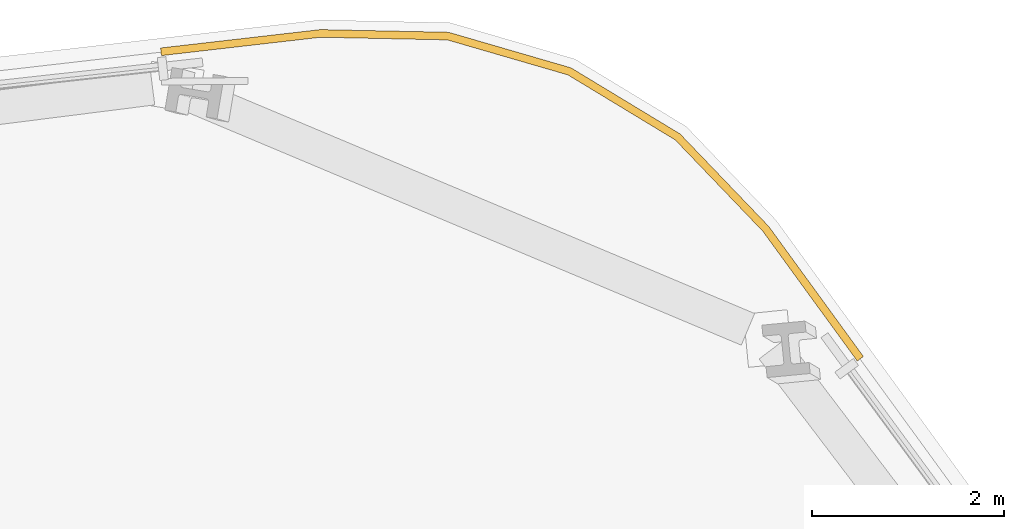
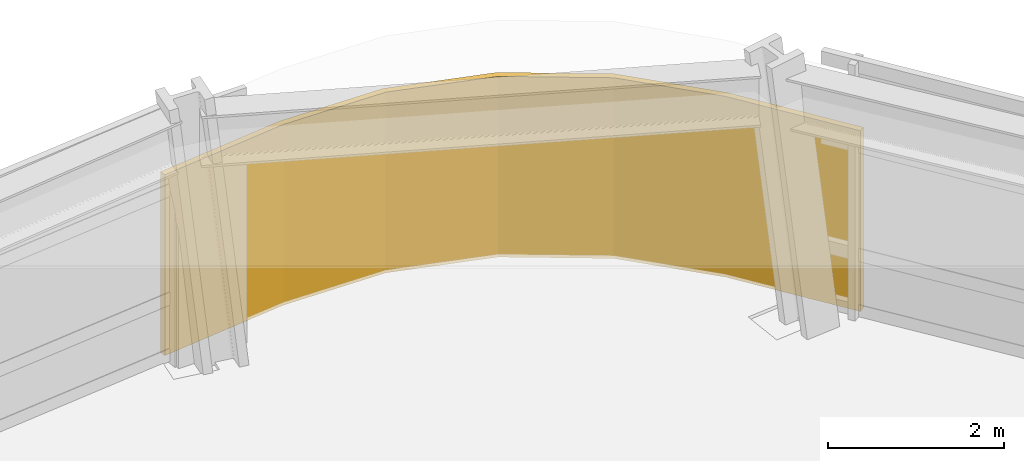
# One storey, part 15 of 16: 1 covering.
"""IFC4 building model written with IfcOpenShell, lengths in metres."""

from ifc_helpers import new_model, si_unit, direction, frame, origin, place, context, subcontext, project, spatial, polyline, outline, extrude, material, layer, layer_set, type_object, element, save


model = new_model("IFC4")

# Units and contexts
model_context = context("Model", 3, precision=1e-05, world=origin(), true_north=direction((0.0, 1.0)))
body_context = subcontext(model_context, "Body", "Model", "MODEL_VIEW")
ifc_project = project(units=[si_unit("LENGTHUNIT", "METRE"), si_unit("AREAUNIT", "SQUARE_METRE"), si_unit("VOLUMEUNIT", "CUBIC_METRE"), si_unit("PLANEANGLEUNIT", "RADIAN"), si_unit("MASSUNIT", "GRAM", prefix="KILO")], contexts=[model_context])

# Site, building, storey
site_placement = place(None, origin())
site = spatial("IfcSite", under=ifc_project, at=site_placement, CompositionType="ELEMENT")
building_placement = place(site_placement, origin())
building = spatial("IfcBuilding", under=site, at=building_placement, Name="Valkerne Bourse Tower", CompositionType="ELEMENT")
storey_placement = place(building_placement, frame((0.0, 0.0, 50.60009765625)))
storey = spatial("IfcBuildingStorey", under=building, at=storey_placement, Name="L12", CompositionType="ELEMENT", Elevation=50.60009765625)

# Covering
ifc_material = material(Name="Bronze Anodised Aluminium AA 6063-T6", Category="aluminium")
ifc_layer = layer(ifc_material, 0.06005859375)
ifc_layer_set = layer_set([ifc_layer], Name="Bronze Anodised Aluminium AA 6063-T6")
covering_type = type_object("IfcCoveringType", Name="COV-CRN-ALUM", PredefinedType="CLADDING", material=ifc_layer_set)
covering_placement = place(storey_placement, origin())
element("IfcCovering", 1, at=covering_placement, inside=storey, type_object=covering_type, Name="L12 Wind-Shaped Corner Aluminium Cladding 21", PredefinedType="CLADDING", context=body_context, shape_type="SweptSolid", body=[
    extrude(outline(polyline([(55.28271484375, 52.68212890625), (56.6201171875, 52.654052734375), (57.8984375, 52.28271484375), (59.036865234375, 51.59326171875), (59.962646484375, 50.627685546875), (60.951171875, 49.26953125), (60.88671875, 49.22216796875), (59.901123046875, 50.576416015625), (58.986572265625, 51.5302734375), (57.865966796875, 52.208984375), (56.60791015625, 52.57421875), (55.28662109375, 52.60205078125), (53.622802734375, 52.41064453125), (53.614013671875, 52.490234375), (55.28271484375, 52.68212890625)])), origin(), (0.0, 0.0, 1.0), 2.5),
])

save(model, "model.ifc")
